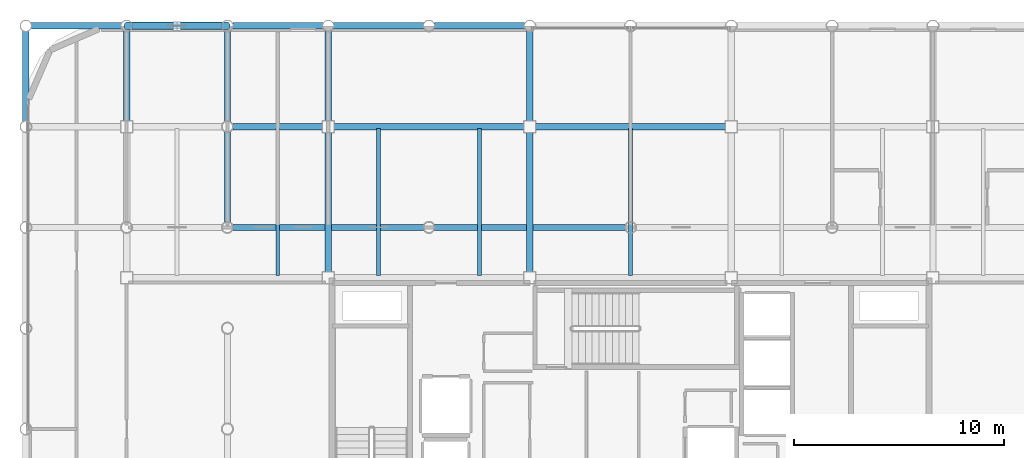
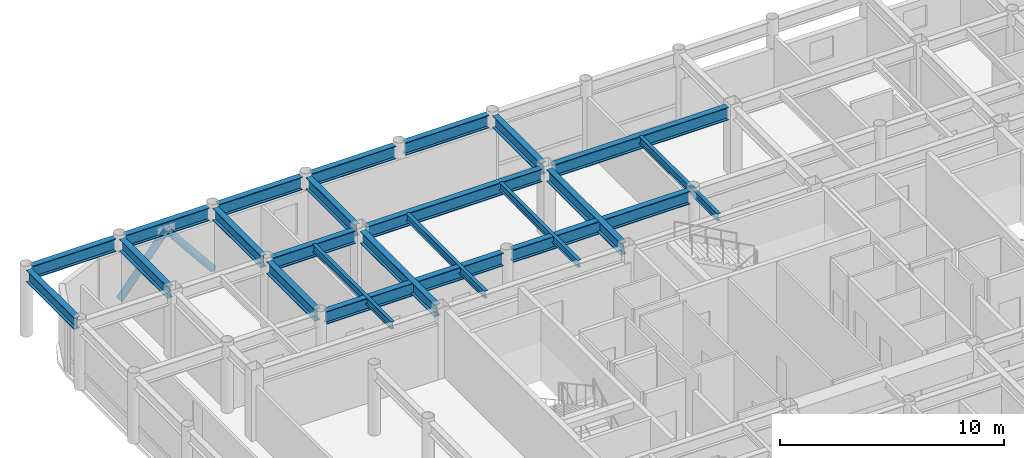
# One storey, part 12 of 22: 22 beams, 2 members.
"""IFC4 building model written with IfcOpenShell, lengths in metres."""

from ifc_helpers import new_model, si_unit, direction, frame, origin, origin_2d, place, context, subcontext, project, spatial, hollow_circle, i_section, extrude, material, material_profile, profile_set, type_object, element, save


model = new_model("IFC4")

# Units and contexts
model_context = context("Model", 3, precision=1e-05, world=origin(), true_north=direction((0.0, 1.0)))
body_context = subcontext(model_context, "Body", "Model", "MODEL_VIEW")
ifc_project = project(units=[si_unit("LENGTHUNIT", "METRE"), si_unit("AREAUNIT", "SQUARE_METRE"), si_unit("VOLUMEUNIT", "CUBIC_METRE"), si_unit("PLANEANGLEUNIT", "RADIAN"), si_unit("MASSUNIT", "GRAM", prefix="KILO")], contexts=[model_context])

# Site, building, storey
site_placement = place(None, origin())
site = spatial("IfcSite", under=ifc_project, at=site_placement, CompositionType="ELEMENT")
building_placement = place(site_placement, origin())
building = spatial("IfcBuilding", under=site, at=building_placement, Name="Kallvorn Hotel Tower", CompositionType="ELEMENT")
storey_placement = place(building_placement, frame((0.0, 0.0, 206.89990234375)))
storey = spatial("IfcBuildingStorey", under=building, at=storey_placement, Name="L51", CompositionType="ELEMENT", Elevation=206.89990234375)

# Beams
ifc_material_1 = material(Name="Structural steel S355JR", Category="steel")
ifc_material_profile_1 = material_profile(ifc_material_1, i_section(OverallWidth=0.300048828125, OverallDepth=0.64990234375, WebThickness=0.01611328125, FlangeThickness=0.031005859375, at=origin_2d()), Name="HE 650 B")
ifc_profile_set_1 = profile_set([ifc_material_profile_1], Name="Structural steel S355JR")
beam_type_1 = type_object("IfcBeamType", Name="BM_HE650B", PredefinedType="BEAM", material=ifc_profile_set_1)
beam_1_placement = place(storey_placement, frame((-28.800048828125, 14.654541015625, 3.34521484375), z_axis=(0.0, 1.0, 0.0), x_axis=(-1.0, 0.0, 0.0)))
element("IfcBeam", 1, at=beam_1_placement, inside=storey, type_object=beam_type_1, Name="L52 Primary Y-Girder 80", PredefinedType="BEAM", context=body_context, shape_type="SweptSolid", body=[
    extrude(i_section(OverallWidth=0.300048828125, OverallDepth=0.64990234375, WebThickness=0.01611328125, FlangeThickness=0.031005859375, at=origin_2d()), origin(), (0.0, 0.0, 1.0), 4.291015625),
])
beam_2_placement = place(storey_placement, frame((-24.0, 14.675048828125, 3.34521484375), z_axis=(0.0, 1.0, 0.0), x_axis=(-1.0, 0.0, 0.0)))
element("IfcBeam", 2, at=beam_2_placement, inside=storey, type_object=beam_type_1, Name="L52 Primary Y-Girder 87", PredefinedType="BEAM", context=body_context, shape_type="SweptSolid", body=[
    extrude(i_section(OverallWidth=0.300048828125, OverallDepth=0.64990234375, WebThickness=0.01611328125, FlangeThickness=0.031005859375, at=origin_2d()), origin(), (0.0, 0.0, 1.0), 4.2705078125),
])
for number, where, z_axis, x_axis, name in (
    (3, (-19.199951171875, 9.8544921875, 3.34521484375), (0.0, 1.0, 0.0), (-1.0, 0.0, 0.0), "L52 Primary Y-Girder 95"),
    (4, (-19.199951171875, 14.654541015625, 3.34521484375), (0.0, 1.0, 0.0), (-1.0, 0.0, 0.0), "L52 Primary Y-Girder 96"),
):
    element("IfcBeam", number, at=place(storey_placement, frame(where, z_axis=z_axis, x_axis=x_axis)), inside=storey, type_object=beam_type_1, Name=name, PredefinedType="BEAM", context=body_context, shape_type="SweptSolid", body=[
        extrude(i_section(OverallWidth=0.300048828125, OverallDepth=0.64990234375, WebThickness=0.01611328125, FlangeThickness=0.031005859375, at=origin_2d()), origin(), (0.0, 0.0, 1.0), 4.291015625),
    ])
beam_3_placement = place(storey_placement, frame((-14.39990234375, 7.47509765625, 3.34521484375), z_axis=(0.0, 1.0, 0.0), x_axis=(-1.0, 0.0, 0.0)))
element("IfcBeam", 5, at=beam_3_placement, inside=storey, type_object=beam_type_1, Name="L52 Primary Y-Girder 100", PredefinedType="BEAM", context=body_context, shape_type="SweptSolid", body=[
    extrude(i_section(OverallWidth=0.300048828125, OverallDepth=0.64990234375, WebThickness=0.01611328125, FlangeThickness=0.031005859375, at=origin_2d()), origin(), (0.0, 0.0, 1.0), 6.64990234375),
])
beam_4_placement = place(storey_placement, frame((-14.39990234375, 14.675048828125, 3.34521484375), z_axis=(0.0, 1.0, 0.0), x_axis=(-1.0, 0.0, 0.0)))
element("IfcBeam", 6, at=beam_4_placement, inside=storey, type_object=beam_type_1, Name="L52 Primary Y-Girder 101", PredefinedType="BEAM", context=body_context, shape_type="SweptSolid", body=[
    extrude(i_section(OverallWidth=0.300048828125, OverallDepth=0.64990234375, WebThickness=0.01611328125, FlangeThickness=0.031005859375, at=origin_2d()), origin(), (0.0, 0.0, 1.0), 4.2705078125),
])
beam_5_placement = place(storey_placement, frame((-4.800048828125, 7.47509765625, 3.34521484375), z_axis=(0.0, 1.0, 0.0), x_axis=(-1.0, 0.0, 0.0)))
element("IfcBeam", 7, at=beam_5_placement, inside=storey, type_object=beam_type_1, Name="L52 Primary Y-Girder 108", PredefinedType="BEAM", context=body_context, shape_type="SweptSolid", body=[
    extrude(i_section(OverallWidth=0.300048828125, OverallDepth=0.64990234375, WebThickness=0.01611328125, FlangeThickness=0.031005859375, at=origin_2d()), origin(), (0.0, 0.0, 1.0), 6.64990234375),
])
beam_6_placement = place(storey_placement, frame((-4.800048828125, 14.675048828125, 3.34521484375), z_axis=(0.0, 1.0, 0.0), x_axis=(-1.0, 0.0, 0.0)))
element("IfcBeam", 8, at=beam_6_placement, inside=storey, type_object=beam_type_1, Name="L52 Primary Y-Girder 109", PredefinedType="BEAM", context=body_context, shape_type="SweptSolid", body=[
    extrude(i_section(OverallWidth=0.300048828125, OverallDepth=0.64990234375, WebThickness=0.01611328125, FlangeThickness=0.031005859375, at=origin_2d()), origin(), (0.0, 0.0, 1.0), 4.2705078125),
])
ifc_material_2 = material(Name="Structural steel S355JR", Category="steel")
ifc_material_profile_2 = material_profile(ifc_material_2, i_section(OverallWidth=0.300048828125, OverallDepth=0.699951171875, WebThickness=0.01708984375, FlangeThickness=0.031982421875, at=origin_2d()), Name="HE 700 B")
ifc_profile_set_2 = profile_set([ifc_material_profile_2], Name="Structural steel S355JR")
beam_type_2 = type_object("IfcBeamType", Name="BM_HE700B", PredefinedType="BEAM", material=ifc_profile_set_2)
for number, where, z_axis, x_axis, name in (
    (9, (-18.945556640625, 9.60009765625, 3.320068359375), (1.0, 0.0, 0.0), (0.0, 1.0, 0.0), "L52 Primary X-Girder 44"),
    (10, (-9.345458984375, 9.60009765625, 3.320068359375), (1.0, 0.0, 0.0), (0.0, 1.0, 0.0), "L52 Primary X-Girder 45"),
):
    element("IfcBeam", number, at=place(storey_placement, frame(where, z_axis=z_axis, x_axis=x_axis)), inside=storey, type_object=beam_type_2, Name=name, PredefinedType="BEAM", context=body_context, shape_type="SweptSolid", body=[
        extrude(i_section(OverallWidth=0.300048828125, OverallDepth=0.699951171875, WebThickness=0.01708984375, FlangeThickness=0.031982421875, at=origin_2d()), origin(), (0.0, 0.0, 1.0), 9.091064453125),
    ])
beam_7_placement = place(storey_placement, frame((-18.945556640625, 14.39990234375, 3.320068359375), z_axis=(1.0, 0.0, 0.0), x_axis=(0.0, 1.0, 0.0)))
element("IfcBeam", 11, at=beam_7_placement, inside=storey, type_object=beam_type_2, Name="L52 Primary X-Girder 53", PredefinedType="BEAM", context=body_context, shape_type="SweptSolid", body=[
    extrude(i_section(OverallWidth=0.300048828125, OverallDepth=0.699951171875, WebThickness=0.01708984375, FlangeThickness=0.031982421875, at=origin_2d()), origin(), (0.0, 0.0, 1.0), 4.2705078125),
])
beam_8_placement = place(storey_placement, frame((-14.125, 14.39990234375, 3.320068359375), z_axis=(1.0, 0.0, 0.0), x_axis=(0.0, 1.0, 0.0)))
element("IfcBeam", 12, at=beam_8_placement, inside=storey, type_object=beam_type_2, Name="L52 Primary X-Girder 54", PredefinedType="BEAM", context=body_context, shape_type="SweptSolid", body=[
    extrude(i_section(OverallWidth=0.300048828125, OverallDepth=0.699951171875, WebThickness=0.01708984375, FlangeThickness=0.031982421875, at=origin_2d()), origin(), (0.0, 0.0, 1.0), 9.050048828125),
])
beam_9_placement = place(storey_placement, frame((-4.52490234375, 14.39990234375, 3.320068359375), z_axis=(1.0, 0.0, 0.0), x_axis=(0.0, 1.0, 0.0)))
element("IfcBeam", 13, at=beam_9_placement, inside=storey, type_object=beam_type_2, Name="L52 Primary X-Girder 55", PredefinedType="BEAM", context=body_context, shape_type="SweptSolid", body=[
    extrude(i_section(OverallWidth=0.300048828125, OverallDepth=0.699951171875, WebThickness=0.01708984375, FlangeThickness=0.031982421875, at=origin_2d()), origin(), (0.0, 0.0, 1.0), 9.0498046875),
])
for number, where, z_axis, x_axis, name in (
    (14, (-28.54541015625, 19.199951171875, 3.320068359375), (1.0, 0.0, 0.0), (0.0, 1.0, 0.0), "L52 Primary X-Girder 61"),
    (15, (-23.74560546875, 19.199951171875, 3.320068359375), (1.0, 0.0, 0.0), (0.0, 1.0, 0.0), "L52 Primary X-Girder 62"),
    (16, (-18.945556640625, 19.199951171875, 3.320068359375), (1.0, 0.0, 0.0), (0.0, 1.0, 0.0), "L52 Primary X-Girder 63"),
    (17, (-14.1455078125, 19.199951171875, 3.320068359375), (1.0, 0.0, 0.0), (0.0, 1.0, 0.0), "L52 Primary X-Girder 64"),
    (18, (-9.345458984375, 19.199951171875, 3.320068359375), (1.0, 0.0, 0.0), (0.0, 1.0, 0.0), "L52 Primary X-Girder 65"),
):
    element("IfcBeam", number, at=place(storey_placement, frame(where, z_axis=z_axis, x_axis=x_axis)), inside=storey, type_object=beam_type_2, Name=name, PredefinedType="BEAM", context=body_context, shape_type="SweptSolid", body=[
        extrude(i_section(OverallWidth=0.300048828125, OverallDepth=0.699951171875, WebThickness=0.01708984375, FlangeThickness=0.031982421875, at=origin_2d()), origin(), (0.0, 0.0, 1.0), 4.291015625),
    ])
ifc_material_3 = material(Name="Structural steel S355JR", Category="steel")
ifc_material_profile_3 = material_profile(ifc_material_3, i_section(OverallWidth=0.179931640625, OverallDepth=0.39990234375, WebThickness=0.008544921875, FlangeThickness=0.013427734375, at=origin_2d()), Name="IPE 400")
ifc_profile_set_3 = profile_set([ifc_material_profile_3], Name="Structural steel S355JR")
beam_type_3 = type_object("IfcBeamType", Name="BM_IPE400", PredefinedType="JOIST", material=ifc_profile_set_3)
for number, where, z_axis, x_axis, name in (
    (19, (-16.800048828125, 7.300048828125, 3.47021484375), (0.0, 1.0, 0.0), (-1.0, 0.0, 0.0), "L52 Secondary Composite Joist 195"),
    (20, (-12.0, 7.300048828125, 3.47021484375), (0.0, 1.0, 0.0), (-1.0, 0.0, 0.0), "L52 Secondary Composite Joist 197"),
    (21, (-7.199951171875, 7.300048828125, 3.47021484375), (0.0, 1.0, 0.0), (-1.0, 0.0, 0.0), "L52 Secondary Composite Joist 199"),
    (22, (0.0, 7.300048828125, 3.47021484375), (0.0, 1.0, 0.0), (-1.0, 0.0, 0.0), "L52 Secondary Composite Joist 201"),
):
    element("IfcBeam", number, at=place(storey_placement, frame(where, z_axis=z_axis, x_axis=x_axis)), inside=storey, type_object=beam_type_3, Name=name, PredefinedType="JOIST", context=body_context, shape_type="SweptSolid", body=[
        extrude(i_section(OverallWidth=0.179931640625, OverallDepth=0.39990234375, WebThickness=0.008544921875, FlangeThickness=0.013427734375, at=origin_2d()), origin(), (0.0, 0.0, 1.0), 7.0),
    ])

# Members
ifc_material_4 = material(Name="Structural steel S355J2H", Category="steel")
ifc_material_profile_4 = material_profile(ifc_material_4, hollow_circle(Radius=0.177734375, WallThickness=0.01416015625, at=origin_2d()), Name="CHS 355.6x14.2")
ifc_profile_set_4 = profile_set([ifc_material_profile_4], Name="Structural steel S355J2H")
member_type = type_object("IfcMemberType", Name="MBR_EXO_CHS355", PredefinedType="BRACE", material=ifc_profile_set_4)
for number, where, z_axis, x_axis, name in (
    (23, (-23.987548828125, 19.199951171875, 0.19580078125), (0.627270878626, 0.0, 0.778801158722), (0.0, 1.0, 0.0), "L51 Exoskeleton K-Brace N1A"),
    (24, (-19.21240234375, 19.199951171875, 0.19580078125), (-0.627270878626, 0.0, 0.778801158722), (0.0, -1.0, 0.0), "L51 Exoskeleton K-Brace N1B"),
):
    element("IfcMember", number, at=place(storey_placement, frame(where, z_axis=z_axis, x_axis=x_axis)), inside=storey, type_object=member_type, Name=name, PredefinedType="BRACE", context=body_context, shape_type="SweptSolid", body=[
        extrude(hollow_circle(Radius=0.177734375, WallThickness=0.01416015625, at=origin_2d()), origin(), (0.0, 0.0, 1.0), 3.7861328125),
    ])

save(model, "model.ifc")
